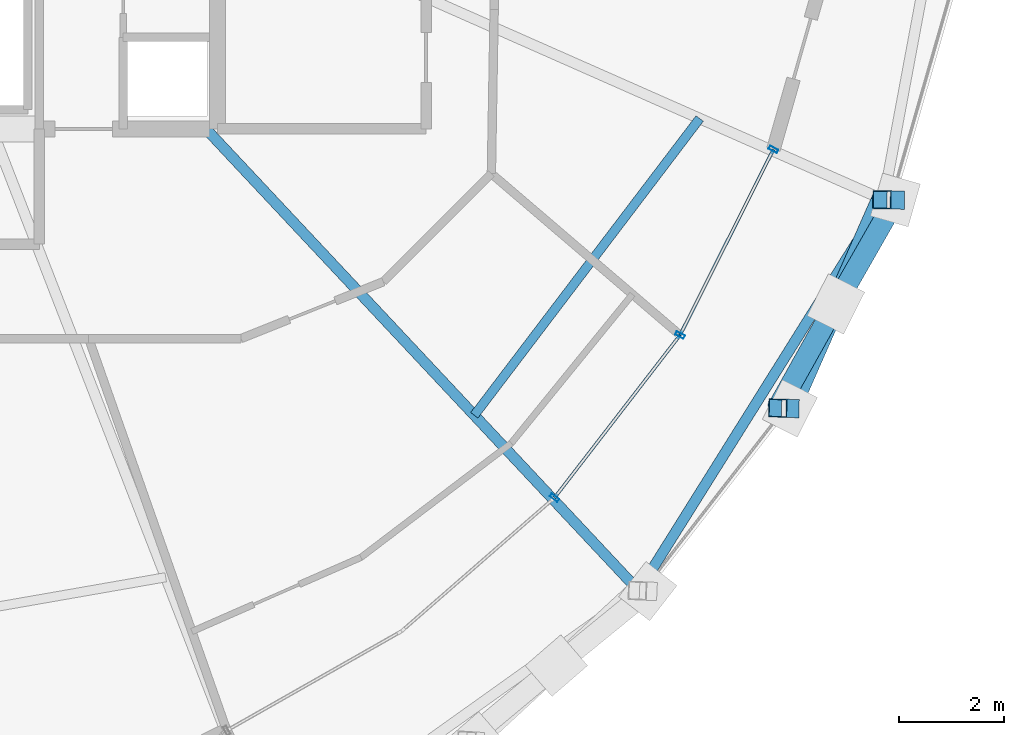
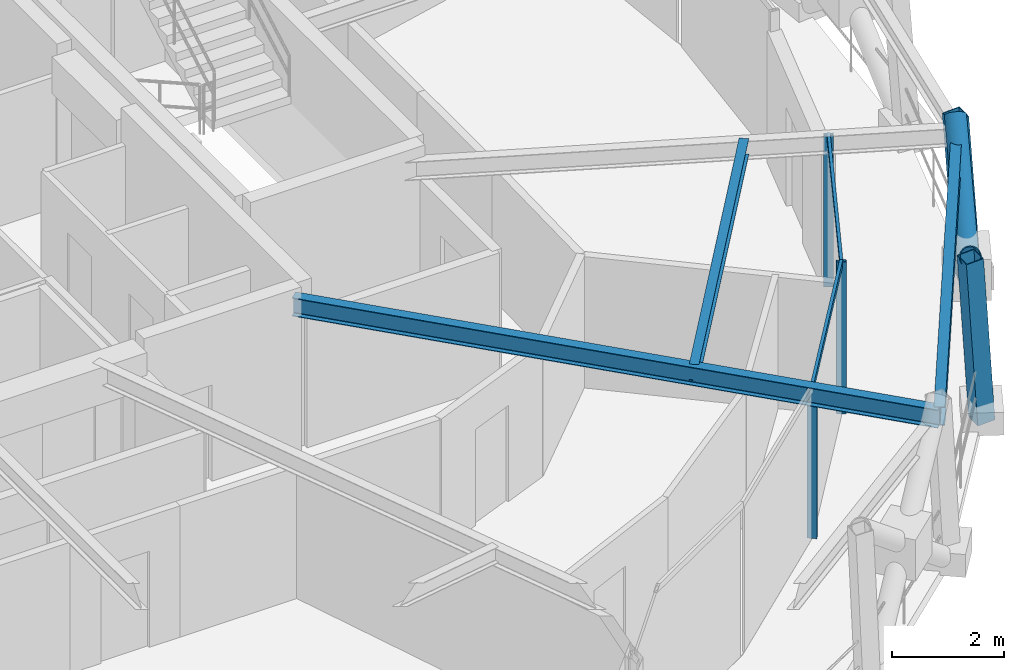
# One storey, part 4 of 15: 10 members, 3 beams, 1 element without a shape of its own.
"""IFC4 building model written with IfcOpenShell, lengths in metres."""

import ifcopenshell
import ifcopenshell.guid

model = None  # the IFC model being written
_history = None  # IfcOwnerHistory: only IFC2X3 demands one
_inside = {}  # id of a spatial element -> (the spatial element, [elements in it])
_under = {}  # id of a project, library or spatial element -> (it, [spatial elements below it])
_declared = {}  # id of a project -> (the project, [libraries it declares])
_typed = {}  # id of a type object -> (the type object, [elements of that type])
_made_of = {}  # id of a material, layer set ... -> (it, [elements and type objects made of it])


def new_model(schema):
    """Start an empty IFC model of exactly this schema.

    Asked for "IFC4X3", IfcOpenShell would pick the latest addendum, in which some entities
    have other attributes; the version numbers below select the first issue.
    IFC2X3 requires an IfcOwnerHistory on every rooted entity: one is made here for all.
    """
    global model, _history
    if schema == "IFC4X3":
        model = ifcopenshell.file(schema_version=(4, 3, 0, 0))
    else:
        model = ifcopenshell.file(schema=schema)
    _inside.clear()
    _under.clear()
    _declared.clear()
    _typed.clear()
    _made_of.clear()
    _history = None
    if model.schema == "IFC2X3":
        org = make("IfcOrganization", Name="unknown")
        user = make(
            "IfcPersonAndOrganization",
            ThePerson=make("IfcPerson", FamilyName="unknown"),
            TheOrganization=org,
        )
        app = make(
            "IfcApplication",
            ApplicationDeveloper=org,
            Version="unknown",
            ApplicationFullName="unknown",
            ApplicationIdentifier="unknown",
        )
        _history = make(
            "IfcOwnerHistory",
            OwningUser=user,
            OwningApplication=app,
            ChangeAction="ADDED",
            CreationDate=0,
        )
    return model


def make(cls, **values):
    """One entity of the class cls with the attributes given. An attribute that is None is left unset."""
    return model.create_entity(
        cls, **{name: value for name, value in values.items() if value is not None}
    )


def rooted(cls, **values):
    """An entity with a GlobalId (a new one), such as an element, a storey or a relation."""
    return make(cls, GlobalId=ifcopenshell.guid.new(), OwnerHistory=_history, **values)


def si_unit(unit_type, name, prefix=None):
    """IfcSIUnit, for example si_unit("LENGTHUNIT", "METRE", prefix="MILLI")."""
    return make("IfcSIUnit", UnitType=unit_type, Prefix=prefix, Name=name)


def assignment(units):
    """IfcUnitAssignment: the units of a project."""
    return None if units is None else make("IfcUnitAssignment", Units=units)


def point(xyz):
    """IfcCartesianPoint."""
    return None if xyz is None else make("IfcCartesianPoint", Coordinates=xyz)


def direction(xyz):
    """IfcDirection."""
    return None if xyz is None else make("IfcDirection", DirectionRatios=xyz)


def frame(location, z_axis=None, x_axis=None):
    """IfcAxis2Placement3D, a coordinate frame: its origin and axes. An axis left out is left unset."""
    return make(
        "IfcAxis2Placement3D",
        Location=point(location),
        Axis=direction(z_axis),
        RefDirection=direction(x_axis),
    )


def frame_2d(location, x_axis=None):
    """IfcAxis2Placement2D, a coordinate frame in the plane: its origin and x axis."""
    return make(
        "IfcAxis2Placement2D", Location=point(location), RefDirection=direction(x_axis)
    )


def origin():
    """The frame at (0, 0, 0) with its axes left unset."""
    return frame((0.0, 0.0, 0.0))


def origin_2d():
    """The frame at (0, 0) in the plane with its x axis left unset."""
    return frame_2d((0.0, 0.0))


def place(relative_to, where):
    """IfcLocalPlacement: puts the frame where relative to a parent placement (None: the world)."""
    return make(
        "IfcLocalPlacement", PlacementRelTo=relative_to, RelativePlacement=where
    )


def context(
    kind, dimensions, precision=None, world=None, true_north=None, identifier=None
):
    """IfcGeometricRepresentationContext, for example the 3D "Model" context."""
    return make(
        "IfcGeometricRepresentationContext",
        ContextIdentifier=identifier,
        ContextType=kind,
        CoordinateSpaceDimension=dimensions,
        Precision=precision,
        WorldCoordinateSystem=world,
        TrueNorth=true_north,
    )


def subcontext(parent, identifier, kind, view, scale=None):
    """IfcGeometricRepresentationSubContext, for example "Body" below "Model"."""
    return make(
        "IfcGeometricRepresentationSubContext",
        ContextIdentifier=identifier,
        ContextType=kind,
        ParentContext=parent,
        TargetScale=scale,
        TargetView=view,
    )


def project(units=None, contexts=None):
    """IfcProject with its units and contexts."""
    return rooted(
        "IfcProject",
        Name="project",
        RepresentationContexts=contexts,
        UnitsInContext=assignment(units),
    )


def spatial(cls, under=None, at=None, **own):
    """A site, building, storey or space (cls), placed at a placement, below another one or the project."""
    s = rooted(cls, ObjectPlacement=at, **own)
    if under is not None:
        _under.setdefault(under.id(), (under, []))[1].append(s)
    return s


def profile(cls, at=None, kind="AREA", **sizes):
    """A parametric profile (cls). Its sizes go by their IFC names, for example OverallWidth=200.0."""
    return make(cls, ProfileType=kind, Position=at, **sizes)


def hollow_rectangle(**sizes):
    """IfcRectangleHollowProfileDef."""
    return profile("IfcRectangleHollowProfileDef", **sizes)


def hollow_circle(**sizes):
    """IfcCircleHollowProfileDef."""
    return profile("IfcCircleHollowProfileDef", **sizes)


def i_section(**sizes):
    """IfcIShapeProfileDef."""
    return profile("IfcIShapeProfileDef", **sizes)


def extrude(swept, where, along, depth):
    """IfcExtrudedAreaSolid: the profile swept, set in the frame where, extruded along a direction by depth."""
    return make(
        "IfcExtrudedAreaSolid",
        SweptArea=swept,
        Position=where,
        ExtrudedDirection=direction(along),
        Depth=depth,
    )


def shape(context_of_items, identifier, shape_type, items):
    """IfcShapeRepresentation: the items that make up one representation, for example the "Body"."""
    return make(
        "IfcShapeRepresentation",
        ContextOfItems=context_of_items,
        RepresentationIdentifier=identifier,
        RepresentationType=shape_type,
        Items=items,
    )


def material(Name=None, Category=None):
    """IfcMaterial."""
    return make("IfcMaterial", Name=Name, Category=Category)


def layer(
    of_material, thickness, ventilated=None, Name=None, Category=None, Priority=None
):
    """IfcMaterialLayer: one layer of a wall or slab, of a material (None: an air gap)."""
    return make(
        "IfcMaterialLayer",
        Material=of_material,
        LayerThickness=thickness,
        IsVentilated=ventilated,
        Name=Name,
        Category=Category,
        Priority=Priority,
    )


def layer_set(layers, Name=None):
    """IfcMaterialLayerSet."""
    return make("IfcMaterialLayerSet", MaterialLayers=layers, LayerSetName=Name)


def material_profile(
    of_material, cross_section, Name=None, Category=None, Priority=None
):
    """IfcMaterialProfile: a cross section and its material."""
    return make(
        "IfcMaterialProfile",
        Name=Name,
        Material=of_material,
        Profile=cross_section,
        Priority=Priority,
        Category=Category,
    )


def profile_set(profiles, Name=None, composite=None):
    """IfcMaterialProfileSet."""
    return make(
        "IfcMaterialProfileSet",
        Name=Name,
        MaterialProfiles=profiles,
        CompositeProfile=composite,
    )


def made_of(thing, what):
    """Note that an element or type object is made of a material, layer set ...; save() writes the relation."""
    if what is not None:
        _made_of.setdefault(what.id(), (what, []))[1].append(thing)
    return thing


def type_object(cls, material=None, **own):
    """A type object (cls), such as IfcWallType, which elements share."""
    return made_of(rooted(cls, **own), material)


def element(
    cls,
    number,
    at=None,
    inside=None,
    cuts=None,
    type_object=None,
    material=None,
    context=None,
    identifier="Body",
    shape_type=None,
    held_by="IfcProductDefinitionShape",
    body=None,
    shapes=None,
    **own,
):
    """One element of the class cls, such as IfcWall. Its Tag is "e" and its number.

    at: its placement. inside: the storey or other place that contains it. cuts: it is an
    opening in that element (IfcRelVoidsElement). A single representation is given by context,
    identifier, shape_type and body (its items); several are given by shapes. held_by: the class
    of the entity that holds the representations. save() writes the other relations.
    """
    e = rooted(cls, Tag="e%d" % number, ObjectPlacement=at, **own)
    if body is not None:
        shapes = [shape(context, identifier, shape_type, body)]
    if shapes is not None:
        e.Representation = make(held_by, Representations=shapes)
    if inside is not None:
        _inside.setdefault(inside.id(), (inside, []))[1].append(e)
    if cuts is not None:
        rooted(
            "IfcRelVoidsElement", RelatingBuildingElement=cuts, RelatedOpeningElement=e
        )
    if type_object is not None:
        _typed.setdefault(type_object.id(), (type_object, []))[1].append(e)
    return made_of(e, material)


def aggregate(whole, parts):
    """IfcRelAggregates: a whole, such as a stair, and the parts it consists of."""
    return rooted("IfcRelAggregates", RelatingObject=whole, RelatedObjects=parts)


def save(model, path):
    """Write the relations noted so far, then the file.

    IfcRelAggregates (storeys below a building ...), IfcRelContainedInSpatialStructure (elements
    in a storey), IfcRelDefinesByType, IfcRelAssociatesMaterial and IfcRelDeclares: one each for
    every whole, place, type object, material and project.
    """
    for whole, parts in _under.values():
        aggregate(whole, parts)
    for where, things in _inside.values():
        rooted(
            "IfcRelContainedInSpatialStructure",
            RelatedElements=things,
            RelatingStructure=where,
        )
    for kind, things in _typed.values():
        rooted("IfcRelDefinesByType", RelatedObjects=things, RelatingType=kind)
    for what, things in _made_of.values():
        rooted("IfcRelAssociatesMaterial", RelatedObjects=things, RelatingMaterial=what)
    for by, libraries in _declared.values():
        rooted("IfcRelDeclares", RelatingContext=by, RelatedDefinitions=libraries)
    model.write(path)


model = new_model("IFC4")

# Units and contexts
model_context = context("Model", 3, precision=1e-05, world=origin(), true_north=direction((0.0, 1.0)))
body_context = subcontext(model_context, "Body", "Model", "MODEL_VIEW")
ifc_project = project(units=[si_unit("LENGTHUNIT", "METRE"), si_unit("AREAUNIT", "SQUARE_METRE"), si_unit("VOLUMEUNIT", "CUBIC_METRE"), si_unit("PLANEANGLEUNIT", "RADIAN"), si_unit("MASSUNIT", "GRAM", prefix="KILO")], contexts=[model_context])

# Site, building, storey
site_placement = place(None, origin())
site = spatial("IfcSite", under=ifc_project, at=site_placement, CompositionType="ELEMENT")
building_placement = place(site_placement, origin())
building = spatial("IfcBuilding", under=site, at=building_placement, Name="Veldorina Hangang Commons", CompositionType="ELEMENT")
storey_placement = place(building_placement, frame((0.0, 0.0, 265.199951171875)))
storey = spatial("IfcBuildingStorey", under=building, at=storey_placement, Name="L69", CompositionType="ELEMENT", Elevation=265.199951171875)

# Beams
ifc_material_1 = material(Name="Steel SM355-TMC", Category="steel")
ifc_material_profile_1 = material_profile(ifc_material_1, i_section(OverallWidth=0.199951171875, OverallDepth=0.39990234375, WebThickness=0.008056640625, FlangeThickness=0.012939453125, FilletRadius=0.012939453125, at=origin_2d()), Name="H-400x200x8x13")
ifc_profile_set_1 = profile_set([ifc_material_profile_1], Name="Steel SM355-TMC")
beam_type_1 = type_object("IfcBeamType", Name="BM-FG400", PredefinedType="BEAM", material=ifc_profile_set_1)
beam_1_placement = place(storey_placement, frame((38.981201171875, 16.550048828125, 3.16015625), z_axis=(0.683768962907, -0.729698571579, 0.0), x_axis=(0.729698571579, 0.683768962907, 0.0)))
element("IfcBeam", 1, at=beam_1_placement, inside=storey, type_object=beam_type_1, Name="L69 radial floor girder 15", PredefinedType="BEAM", context=body_context, shape_type="SweptSolid", body=[
    extrude(i_section(OverallWidth=0.199951171875, OverallDepth=0.39990234375, WebThickness=0.008056640625, FlangeThickness=0.012939453125, FilletRadius=0.012939453125, at=origin_2d()), origin(), (0.0, 0.0, 1.0), 12.076904296875),
])
ifc_material_profile_2 = material_profile(ifc_material_1, i_section(OverallWidth=0.175048828125, OverallDepth=0.35009765625, WebThickness=0.007080078125, FlangeThickness=0.010986328125, FilletRadius=0.012939453125, at=origin_2d()), Name="H-350x175x7x11")
ifc_profile_set_2 = profile_set([ifc_material_profile_2], Name="Steel SM355-TMC")
beam_type_2 = type_object("IfcBeamType", Name="BM-JST350", PredefinedType="JOIST", material=ifc_profile_set_2)
beam_2_placement = place(storey_placement, frame((44.100830078125, 11.086181640625, 3.18505859375), z_axis=(0.604811662679, 0.796368540744, 0.0), x_axis=(-0.796368540744, 0.604811662679, 0.0)))
element("IfcBeam", 2, at=beam_2_placement, inside=storey, type_object=beam_type_2, Name="L69 secondary floor joist 15", PredefinedType="JOIST", context=body_context, shape_type="SweptSolid", body=[
    extrude(i_section(OverallWidth=0.175048828125, OverallDepth=0.35009765625, WebThickness=0.007080078125, FlangeThickness=0.010986328125, FilletRadius=0.012939453125, at=origin_2d()), origin(), (0.0, 0.0, 1.0), 7.11181640625),
])
ifc_material_profile_3 = material_profile(ifc_material_1, i_section(OverallWidth=0.199951171875, OverallDepth=0.39990234375, WebThickness=0.008056640625, FlangeThickness=0.012939453125, FilletRadius=0.012939453125, at=origin_2d()), Name="H-400x200x8x13")
ifc_profile_set_3 = profile_set([ifc_material_profile_3], Name="Steel SM355-TMC")
beam_type_3 = type_object("IfcBeamType", Name="BM-RB400", PredefinedType="BEAM", material=ifc_profile_set_3)
beam_3_placement = place(storey_placement, frame((47.239013671875, 7.737548828125, 3.16015625), z_axis=(0.530664395291, 0.847582031175, 0.0), x_axis=(-0.847582031175, 0.530664395291, 0.0)))
element("IfcBeam", 3, at=beam_3_placement, inside=storey, type_object=beam_type_3, Name="L69 perimeter hoop ring beam 28", PredefinedType="BEAM", context=body_context, shape_type="SweptSolid", body=[
    extrude(i_section(OverallWidth=0.199951171875, OverallDepth=0.39990234375, WebThickness=0.008056640625, FlangeThickness=0.012939453125, FilletRadius=0.012939453125, at=origin_2d()), origin(), (0.0, 0.0, 1.0), 8.802978515625),
])

# Curtain wall, members
ifc_material_2 = material(Name="Glass Low-E Selective", Category="glass")
ifc_layer = layer(ifc_material_2, 0.179931640625)
ifc_layer_set = layer_set([ifc_layer], Name="Glass Low-E Selective")
curtain_wall_type = type_object("IfcCurtainWallType", Name="CW-SYS-Z3", PredefinedType="NOTDEFINED", material=ifc_layer_set)
curtain_wall_placement = place(storey_placement, origin())
curtain_wall = element("IfcCurtainWall", 4, at=curtain_wall_placement, inside=storey, type_object=curtain_wall_type, Name="L69 unitised curtain wall CW-L69-R1", PredefinedType="NOTDEFINED")
ifc_material_3 = material(Name="Aluminium Anodized AA6063-T6", Category="aluminium")
ifc_material_profile_4 = material_profile(ifc_material_3, hollow_rectangle(XDim=0.070068359375, YDim=0.179931640625, WallThickness=0.00390625, at=origin_2d()), Name="ALU-RHS-180x70x4")
ifc_profile_set_4 = profile_set([ifc_material_profile_4], Name="Aluminium Anodized AA6063-T6")
member_type_1 = type_object("IfcMemberType", Name="CW-MUL-180", PredefinedType="MULLION", material=ifc_profile_set_4)
member_1_placement = place(storey_placement, frame((45.630615234375, 9.511962890625, 0.0), z_axis=(0.0, 0.0, 1.0), x_axis=(0.611126487654, 0.791532953254, 0.0)))
member_1 = element("IfcMember", 5, at=member_1_placement, type_object=member_type_1, Name="CW-L69-R1 vertical mullion 2", PredefinedType="MULLION", context=body_context, shape_type="SweptSolid", body=[
    extrude(hollow_rectangle(XDim=0.070068359375, YDim=0.179931640625, WallThickness=0.00390625, at=origin_2d()), origin(), (0.0, 0.0, 1.0), 3.320068359375),
])
member_2_placement = place(storey_placement, frame((48.027587890625, 12.616943359375, 0.0), z_axis=(0.0, 0.0, 1.0), x_axis=(0.449287813798, 0.893387071975, 0.0)))
member_2 = element("IfcMember", 6, at=member_2_placement, type_object=member_type_1, Name="CW-L69-R1 vertical mullion 3", PredefinedType="MULLION", context=body_context, shape_type="SweptSolid", body=[
    extrude(hollow_rectangle(XDim=0.070068359375, YDim=0.179931640625, WallThickness=0.00390625, at=origin_2d()), origin(), (0.0, 0.0, 1.0), 3.320068359375),
])
member_3_placement = place(storey_placement, frame((49.80908203125, 16.1591796875, 0.0), z_axis=(0.0, 0.0, 1.0), x_axis=(-0.449287813798, -0.893387071975, 0.0)))
member_3 = element("IfcMember", 7, at=member_3_placement, type_object=member_type_1, Name="CW-L69-R1 vertical mullion 4", PredefinedType="MULLION", context=body_context, shape_type="SweptSolid", body=[
    extrude(hollow_rectangle(XDim=0.070068359375, YDim=0.179931640625, WallThickness=0.00390625, at=origin_2d()), origin(), (0.0, 0.0, 1.0), 3.320068359375),
])
ifc_material_profile_5 = material_profile(ifc_material_3, hollow_rectangle(XDim=0.06005859375, YDim=0.139892578125, WallThickness=0.00341796875, at=origin_2d()), Name="ALU-RHS-140x60x3.5")
ifc_profile_set_5 = profile_set([ifc_material_profile_5], Name="Aluminium Anodized AA6063-T6")
member_type_2 = type_object("IfcMemberType", Name="CW-TRN-140", PredefinedType="USERDEFINED", material=ifc_profile_set_5)
member_4_placement = place(storey_placement, frame((45.630615234375, 9.511962890625, 3.280029296875), z_axis=(0.611075440924, 0.791572362769, 0.0), x_axis=(-0.791572362769, 0.611075440924, 0.0)))
member_4 = element("IfcMember", 8, at=member_4_placement, type_object=member_type_2, Name="CW-L69-R1 facet 3 transom 1", ObjectType="TRANSOM", PredefinedType="USERDEFINED", context=body_context, shape_type="SweptSolid", body=[
    extrude(hollow_rectangle(XDim=0.06005859375, YDim=0.139892578125, WallThickness=0.00341796875, at=origin_2d()), origin(), (0.0, 0.0, 1.0), 3.922607421875),
])
member_5_placement = place(storey_placement, frame((48.027587890625, 12.616943359375, 3.280029296875), z_axis=(0.449305888376, 0.893377981971, 0.0), x_axis=(-0.893377981971, 0.449305888376, 0.0)))
member_5 = element("IfcMember", 9, at=member_5_placement, type_object=member_type_2, Name="CW-L69-R1 facet 4 transom 1", ObjectType="TRANSOM", PredefinedType="USERDEFINED", context=body_context, shape_type="SweptSolid", body=[
    extrude(hollow_rectangle(XDim=0.06005859375, YDim=0.139892578125, WallThickness=0.00341796875, at=origin_2d()), origin(), (0.0, 0.0, 1.0), 3.965087890625),
])
aggregate(curtain_wall, [member_1, member_2, member_3, member_4, member_5])

# Members
ifc_material_profile_6 = material_profile(ifc_material_1, hollow_circle(Radius=0.199951171875, WallThickness=0.02001953125, at=origin_2d()), Name="CHS-400x20")
ifc_profile_set_6 = profile_set([ifc_material_profile_6], Name="Steel SM355-TMC")
member_type_3 = type_object("IfcMemberType", Name="DG-CHS400", PredefinedType="BRACE", material=ifc_profile_set_6)
member_6_placement = place(storey_placement, frame((50.123046875, 11.216796875, 0.0), z_axis=(0.310854967404, 0.705085801343, 0.63735641676), x_axis=(-0.915019516921, 0.403409573082, 0.0)))
element("IfcMember", 10, at=member_6_placement, inside=storey, type_object=member_type_3, Name="L69 continuous perimeter diagrid brace 29", PredefinedType="BRACE", context=body_context, shape_type="SweptSolid", body=[
    extrude(hollow_circle(Radius=0.199951171875, WallThickness=0.02001953125, at=origin_2d()), origin(), (0.0, 0.0, 1.0), 5.6484375),
])
member_7_placement = place(storey_placement, frame((52.13720703125, 15.19482421875, 0.0), z_axis=(-0.389926389319, -0.681469544681, 0.619319522206), x_axis=(0.86796032347, -0.496633543854, 0.0)))
element("IfcMember", 11, at=member_7_placement, inside=storey, type_object=member_type_3, Name="L69 split perimeter diagrid lower brace 30", PredefinedType="BRACE", context=body_context, shape_type="SweptSolid", body=[
    extrude(hollow_circle(Radius=0.199951171875, WallThickness=0.02001953125, at=origin_2d()), origin(), (0.0, 0.0, 1.0), 2.910888671875),
])
member_8_placement = place(storey_placement, frame((51.002197265625, 13.211181640625, 1.802734375), z_axis=(-0.383153698264, -0.685098672867, 0.619542615114), x_axis=(0.872778274225, -0.48811687539, 0.0)))
element("IfcMember", 12, at=member_8_placement, inside=storey, type_object=member_type_3, Name="L69 split perimeter diagrid upper brace 30", PredefinedType="BRACE", context=body_context, shape_type="SweptSolid", body=[
    extrude(hollow_circle(Radius=0.199951171875, WallThickness=0.02001953125, at=origin_2d()), origin(), (0.0, 0.0, 1.0), 2.901123046875),
])
ifc_material_profile_7 = material_profile(ifc_material_1, hollow_rectangle(XDim=0.35009765625, YDim=0.35009765625, WallThickness=0.01611328125, at=origin_2d()), Name="SHS-350x350x16")
ifc_profile_set_7 = profile_set([ifc_material_profile_7], Name="Steel SM355-TMC")
member_type_4 = type_object("IfcMemberType", Name="STR-SHS350", PredefinedType="STRUT", material=ifc_profile_set_7)
member_9_placement = place(storey_placement, frame((50.123046875, 11.216796875, 0.0), z_axis=(-0.064425642018, 0.001894871824, 0.997920711335), x_axis=(-0.029399051602, -0.999567754464, 0.0)))
element("IfcMember", 13, at=member_9_placement, inside=storey, type_object=member_type_4, Name="L69 perimeter ring node post 29", PredefinedType="STRUT", context=body_context, shape_type="SweptSolid", body=[
    extrude(hollow_rectangle(XDim=0.35009765625, YDim=0.35009765625, WallThickness=0.01611328125, at=origin_2d()), origin(), (0.0, 0.0, 1.0), 3.607666015625),
])
member_10_placement = place(storey_placement, frame((52.13720703125, 15.19482421875, 0.0), z_axis=(-0.071564248181, 0.00128518026, 0.997435164156), x_axis=(-0.017955516964, -0.99983878671, 0.0)))
element("IfcMember", 14, at=member_10_placement, inside=storey, type_object=member_type_4, Name="L69 perimeter ring node post 30", PredefinedType="STRUT", context=body_context, shape_type="SweptSolid", body=[
    extrude(hollow_rectangle(XDim=0.35009765625, YDim=0.35009765625, WallThickness=0.01611328125, at=origin_2d()), origin(), (0.0, 0.0, 1.0), 3.609375),
])

save(model, "model.ifc")
